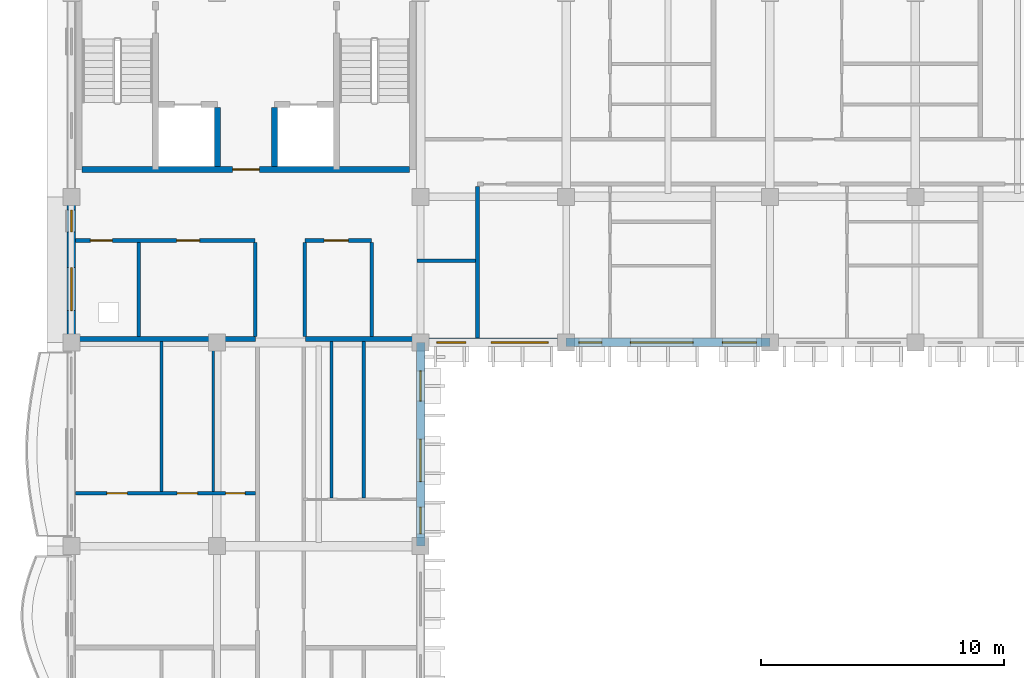
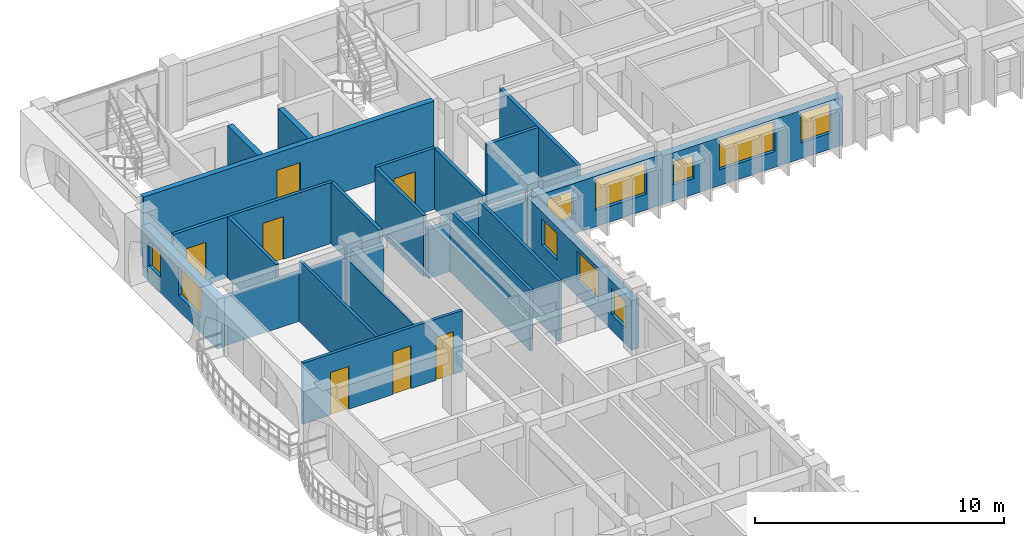
# One storey, part 23 of 70: 22 walls, 10 windows, 7 doors, 17 openings.
"""IFC4 building model written with IfcOpenShell, lengths in metres."""

import ifcopenshell
import ifcopenshell.guid

model = None  # the IFC model being written
_history = None  # IfcOwnerHistory: only IFC2X3 demands one
_inside = {}  # id of a spatial element -> (the spatial element, [elements in it])
_under = {}  # id of a project, library or spatial element -> (it, [spatial elements below it])
_declared = {}  # id of a project -> (the project, [libraries it declares])
_typed = {}  # id of a type object -> (the type object, [elements of that type])
_made_of = {}  # id of a material, layer set ... -> (it, [elements and type objects made of it])


def new_model(schema):
    """Start an empty IFC model of exactly this schema.

    Asked for "IFC4X3", IfcOpenShell would pick the latest addendum, in which some entities
    have other attributes; the version numbers below select the first issue.
    IFC2X3 requires an IfcOwnerHistory on every rooted entity: one is made here for all.
    """
    global model, _history
    if schema == "IFC4X3":
        model = ifcopenshell.file(schema_version=(4, 3, 0, 0))
    else:
        model = ifcopenshell.file(schema=schema)
    _inside.clear()
    _under.clear()
    _declared.clear()
    _typed.clear()
    _made_of.clear()
    _history = None
    if model.schema == "IFC2X3":
        org = make("IfcOrganization", Name="unknown")
        user = make(
            "IfcPersonAndOrganization",
            ThePerson=make("IfcPerson", FamilyName="unknown"),
            TheOrganization=org,
        )
        app = make(
            "IfcApplication",
            ApplicationDeveloper=org,
            Version="unknown",
            ApplicationFullName="unknown",
            ApplicationIdentifier="unknown",
        )
        _history = make(
            "IfcOwnerHistory",
            OwningUser=user,
            OwningApplication=app,
            ChangeAction="ADDED",
            CreationDate=0,
        )
    return model


def make(cls, **values):
    """One entity of the class cls with the attributes given. An attribute that is None is left unset."""
    return model.create_entity(
        cls, **{name: value for name, value in values.items() if value is not None}
    )


def rooted(cls, **values):
    """An entity with a GlobalId (a new one), such as an element, a storey or a relation."""
    return make(cls, GlobalId=ifcopenshell.guid.new(), OwnerHistory=_history, **values)


def si_unit(unit_type, name, prefix=None):
    """IfcSIUnit, for example si_unit("LENGTHUNIT", "METRE", prefix="MILLI")."""
    return make("IfcSIUnit", UnitType=unit_type, Prefix=prefix, Name=name)


def assignment(units):
    """IfcUnitAssignment: the units of a project."""
    return None if units is None else make("IfcUnitAssignment", Units=units)


def point(xyz):
    """IfcCartesianPoint."""
    return None if xyz is None else make("IfcCartesianPoint", Coordinates=xyz)


def direction(xyz):
    """IfcDirection."""
    return None if xyz is None else make("IfcDirection", DirectionRatios=xyz)


def frame(location, z_axis=None, x_axis=None):
    """IfcAxis2Placement3D, a coordinate frame: its origin and axes. An axis left out is left unset."""
    return make(
        "IfcAxis2Placement3D",
        Location=point(location),
        Axis=direction(z_axis),
        RefDirection=direction(x_axis),
    )


def frame_2d(location, x_axis=None):
    """IfcAxis2Placement2D, a coordinate frame in the plane: its origin and x axis."""
    return make(
        "IfcAxis2Placement2D", Location=point(location), RefDirection=direction(x_axis)
    )


def origin():
    """The frame at (0, 0, 0) with its axes left unset."""
    return frame((0.0, 0.0, 0.0))


def place(relative_to, where):
    """IfcLocalPlacement: puts the frame where relative to a parent placement (None: the world)."""
    return make(
        "IfcLocalPlacement", PlacementRelTo=relative_to, RelativePlacement=where
    )


def context(
    kind, dimensions, precision=None, world=None, true_north=None, identifier=None
):
    """IfcGeometricRepresentationContext, for example the 3D "Model" context."""
    return make(
        "IfcGeometricRepresentationContext",
        ContextIdentifier=identifier,
        ContextType=kind,
        CoordinateSpaceDimension=dimensions,
        Precision=precision,
        WorldCoordinateSystem=world,
        TrueNorth=true_north,
    )


def subcontext(parent, identifier, kind, view, scale=None):
    """IfcGeometricRepresentationSubContext, for example "Body" below "Model"."""
    return make(
        "IfcGeometricRepresentationSubContext",
        ContextIdentifier=identifier,
        ContextType=kind,
        ParentContext=parent,
        TargetScale=scale,
        TargetView=view,
    )


def project(units=None, contexts=None):
    """IfcProject with its units and contexts."""
    return rooted(
        "IfcProject",
        Name="project",
        RepresentationContexts=contexts,
        UnitsInContext=assignment(units),
    )


def spatial(cls, under=None, at=None, **own):
    """A site, building, storey or space (cls), placed at a placement, below another one or the project."""
    s = rooted(cls, ObjectPlacement=at, **own)
    if under is not None:
        _under.setdefault(under.id(), (under, []))[1].append(s)
    return s


def profile(cls, at=None, kind="AREA", **sizes):
    """A parametric profile (cls). Its sizes go by their IFC names, for example OverallWidth=200.0."""
    return make(cls, ProfileType=kind, Position=at, **sizes)


def rectangle(**sizes):
    """IfcRectangleProfileDef."""
    return profile("IfcRectangleProfileDef", **sizes)


def extrude(swept, where, along, depth):
    """IfcExtrudedAreaSolid: the profile swept, set in the frame where, extruded along a direction by depth."""
    return make(
        "IfcExtrudedAreaSolid",
        SweptArea=swept,
        Position=where,
        ExtrudedDirection=direction(along),
        Depth=depth,
    )


def shape(context_of_items, identifier, shape_type, items):
    """IfcShapeRepresentation: the items that make up one representation, for example the "Body"."""
    return make(
        "IfcShapeRepresentation",
        ContextOfItems=context_of_items,
        RepresentationIdentifier=identifier,
        RepresentationType=shape_type,
        Items=items,
    )


def material(Name=None, Category=None):
    """IfcMaterial."""
    return make("IfcMaterial", Name=Name, Category=Category)


def layer(
    of_material, thickness, ventilated=None, Name=None, Category=None, Priority=None
):
    """IfcMaterialLayer: one layer of a wall or slab, of a material (None: an air gap)."""
    return make(
        "IfcMaterialLayer",
        Material=of_material,
        LayerThickness=thickness,
        IsVentilated=ventilated,
        Name=Name,
        Category=Category,
        Priority=Priority,
    )


def layer_set(layers, Name=None):
    """IfcMaterialLayerSet."""
    return make("IfcMaterialLayerSet", MaterialLayers=layers, LayerSetName=Name)


def made_of(thing, what):
    """Note that an element or type object is made of a material, layer set ...; save() writes the relation."""
    if what is not None:
        _made_of.setdefault(what.id(), (what, []))[1].append(thing)
    return thing


def type_object(cls, material=None, **own):
    """A type object (cls), such as IfcWallType, which elements share."""
    return made_of(rooted(cls, **own), material)


def element(
    cls,
    number,
    at=None,
    inside=None,
    cuts=None,
    type_object=None,
    material=None,
    context=None,
    identifier="Body",
    shape_type=None,
    held_by="IfcProductDefinitionShape",
    body=None,
    shapes=None,
    **own,
):
    """One element of the class cls, such as IfcWall. Its Tag is "e" and its number.

    at: its placement. inside: the storey or other place that contains it. cuts: it is an
    opening in that element (IfcRelVoidsElement). A single representation is given by context,
    identifier, shape_type and body (its items); several are given by shapes. held_by: the class
    of the entity that holds the representations. save() writes the other relations.
    """
    e = rooted(cls, Tag="e%d" % number, ObjectPlacement=at, **own)
    if body is not None:
        shapes = [shape(context, identifier, shape_type, body)]
    if shapes is not None:
        e.Representation = make(held_by, Representations=shapes)
    if inside is not None:
        _inside.setdefault(inside.id(), (inside, []))[1].append(e)
    if cuts is not None:
        rooted(
            "IfcRelVoidsElement", RelatingBuildingElement=cuts, RelatedOpeningElement=e
        )
    if type_object is not None:
        _typed.setdefault(type_object.id(), (type_object, []))[1].append(e)
    return made_of(e, material)


def fill(opening, filler):
    """IfcRelFillsElement: the door or window that sits in an opening."""
    return rooted(
        "IfcRelFillsElement",
        RelatingOpeningElement=opening,
        RelatedBuildingElement=filler,
    )


def aggregate(whole, parts):
    """IfcRelAggregates: a whole, such as a stair, and the parts it consists of."""
    return rooted("IfcRelAggregates", RelatingObject=whole, RelatedObjects=parts)


def save(model, path):
    """Write the relations noted so far, then the file.

    IfcRelAggregates (storeys below a building ...), IfcRelContainedInSpatialStructure (elements
    in a storey), IfcRelDefinesByType, IfcRelAssociatesMaterial and IfcRelDeclares: one each for
    every whole, place, type object, material and project.
    """
    for whole, parts in _under.values():
        aggregate(whole, parts)
    for where, things in _inside.values():
        rooted(
            "IfcRelContainedInSpatialStructure",
            RelatedElements=things,
            RelatingStructure=where,
        )
    for kind, things in _typed.values():
        rooted("IfcRelDefinesByType", RelatedObjects=things, RelatingType=kind)
    for what, things in _made_of.values():
        rooted("IfcRelAssociatesMaterial", RelatedObjects=things, RelatingMaterial=what)
    for by, libraries in _declared.values():
        rooted("IfcRelDeclares", RelatingContext=by, RelatedDefinitions=libraries)
    model.write(path)


model = new_model("IFC4")

# Units and contexts
model_context = context("Model", 3, precision=1e-05, world=origin(), true_north=direction((0.0, 1.0)))
body_context = subcontext(model_context, "Body", "Model", "MODEL_VIEW")
ifc_project = project(units=[si_unit("LENGTHUNIT", "METRE"), si_unit("AREAUNIT", "SQUARE_METRE"), si_unit("VOLUMEUNIT", "CUBIC_METRE"), si_unit("PLANEANGLEUNIT", "RADIAN"), si_unit("MASSUNIT", "GRAM", prefix="KILO"), si_unit("THERMODYNAMICTEMPERATUREUNIT", "KELVIN")], contexts=[model_context])

# Site, building, storey
site_placement = place(None, origin())
site = spatial("IfcSite", under=ifc_project, at=site_placement, CompositionType="ELEMENT")
building_placement = place(site_placement, origin())
building = spatial("IfcBuilding", under=site, at=building_placement, Name="Thalorik Housing Commons", CompositionType="ELEMENT")
storey_placement = place(building_placement, frame((0.0, 0.0, 14.699951171875)))
storey = spatial("IfcBuildingStorey", under=building, at=storey_placement, Name="L04", CompositionType="ELEMENT", Elevation=14.699951171875)

# Walls
ifc_material_1 = material(Name="Concrete C40/50", Category="concrete")
ifc_layer_1 = layer(ifc_material_1, 0.25, Name="Concrete C40/50", Category="concrete")
ifc_layer_set_1 = layer_set([ifc_layer_1], Name="Concrete C40/50")
wall_type_1 = type_object("IfcWallType", Name="ARC-WAL-CORE-250", PredefinedType="SHEAR", material=ifc_layer_set_1)
for number, where, z_axis, x_axis, name in (
    (1, (14.425048828125, 118.875, 0.0), (0.0, 0.0, 1.0), (0.0, -1.0, 0.0), "L04 Lift 1 Cheek Wall"),
    (2, (16.77490234375, 118.875, 0.0), (0.0, 0.0, 1.0), (0.0, -1.0, 0.0), "L04 Lift 2 Cheek Wall"),
):
    element("IfcWall", number, at=place(storey_placement, frame(where, z_axis=z_axis, x_axis=x_axis)), inside=storey, type_object=wall_type_1, Name=name, PredefinedType="SHEAR", context=body_context, shape_type="SweptSolid", body=[
        extrude(rectangle(XDim=2.425048828125, YDim=0.25, at=frame_2d((1.21240234375, 0.0))), origin(), (0.0, 0.0, 1.0), 3.0),
    ])

# Wall, opening, door
wall_1_placement = place(storey_placement, frame((8.85009765625, 116.324951171875, 0.0), z_axis=(0.0, 0.0, 1.0), x_axis=(1.0, 0.0, 0.0)))
wall_1 = element("IfcWall", 3, at=wall_1_placement, inside=storey, type_object=wall_type_1, Name="L04 Core A Spine Shear Wall", PredefinedType="SHEAR", context=body_context, shape_type="SweptSolid", body=[
    extrude(rectangle(XDim=13.5, YDim=0.25, at=frame_2d((6.75, 0.0))), origin(), (0.0, 0.0, 1.0), 3.0),
])
opening_1_placement = place(wall_1_placement, frame((6.199951171875, 0.0, 0.0)))
opening_1 = element("IfcOpeningElement", 4, at=opening_1_placement, cuts=wall_1, Name="Opening ID-0045", PredefinedType="OPENING", context=body_context, shape_type="SweptSolid", body=[
    extrude(rectangle(XDim=1.10009765625, YDim=2.14990234375, at=frame_2d((0.550048828125, 1.074951171875))), frame((0.0, 0.135009765625, 0.0), z_axis=(0.0, -1.0, 0.0), x_axis=(1.0, 0.0, 0.0)), (0.0, 0.0, 1.0), 0.27001953125),
])
ifc_material_2 = material(Name="Steel S355", Category="steel")
door_type_1 = type_object("IfcDoorType", Name="ARC-DR-FD60-1100", OperationType="NOTDEFINED", PredefinedType="DOOR", material=ifc_material_2)
door_1_placement = place(opening_1_placement, origin())
door_1 = element("IfcDoor", 5, at=door_1_placement, inside=storey, type_object=door_type_1, Name="L04 Core A Lobby Fire Door", OperationType="SINGLE_SWING_RIGHT", OverallHeight=2.14990234375, OverallWidth=1.10009765625, PredefinedType="DOOR", context=body_context, shape_type="SweptSolid", body=[
    extrude(rectangle(XDim=1.10009765625, YDim=2.14990234375, at=frame_2d((0.550048828125, 1.074951171875))), frame((0.0, 0.02490234375, 0.0), z_axis=(0.0, -1.0, 0.0), x_axis=(1.0, 0.0, 0.0)), (0.0, 0.0, 1.0), 0.050048828125),
])
fill(opening_1, door_1)

# Walls
ifc_material_3 = material(Name="Masonry fire-rated corridor wall", Category="masonry")
ifc_layer_2 = layer(ifc_material_3, 0.14990234375, Name="Masonry fire-rated corridor wall", Category="masonry")
ifc_layer_set_2 = layer_set([ifc_layer_2], Name="Masonry fire-rated corridor wall")
wall_type_2 = type_object("IfcWallType", Name="ARC-WAL-CORR-150", PredefinedType="PARTITIONING", material=ifc_layer_set_2)
wall_2_placement = place(storey_placement, frame((22.659912109375, 112.570068359375, 0.0), z_axis=(0.0, 0.0, 1.0), x_axis=(1.0, 0.0, 0.0)))
element("IfcWall", 6, at=wall_2_placement, inside=storey, type_object=wall_type_2, Name="L04 Block A Vestibule South Wall", PredefinedType="PARTITIONING", context=body_context, shape_type="SweptSolid", body=[
    extrude(rectangle(XDim=2.405517578125, YDim=0.14990234375, at=frame_2d((1.20263671875, 0.0))), origin(), (0.0, 0.0, 1.0), 3.0),
])
ifc_layer_3 = layer(ifc_material_3, 0.1650390625, Name="Masonry fire-rated corridor wall", Category="masonry")
ifc_layer_set_3 = layer_set([ifc_layer_3], Name="Masonry fire-rated corridor wall")
wall_type_3 = type_object("IfcWallType", Name="ARC-WAL-CORR-165", PredefinedType="PARTITIONING", material=ifc_layer_set_3)
wall_3_placement = place(storey_placement, frame((25.14990234375, 109.376953125, 0.0), z_axis=(0.0, 0.0, 1.0), x_axis=(0.0, 1.0, 0.0)))
element("IfcWall", 7, at=wall_3_placement, inside=storey, type_object=wall_type_3, Name="L04 Block A Vestibule Cheek Wall", PredefinedType="PARTITIONING", context=body_context, shape_type="SweptSolid", body=[
    extrude(rectangle(XDim=6.258544921875, YDim=0.1650390625, at=frame_2d((3.12939453125, 0.0))), origin(), (0.0, 0.0, 1.0), 3.0),
])

# Wall, openings, windows
ifc_material_4 = material(Name="White precast concrete C40/50", Category="concrete")
ifc_layer_4 = layer(ifc_material_4, 0.35009765625, Name="White precast concrete C40/50", Category="concrete")
ifc_layer_set_4 = layer_set([ifc_layer_4], Name="White precast concrete C40/50")
wall_type_4 = type_object("IfcWallType", Name="ARC-WAL-EXT-350", PredefinedType="STANDARD", material=ifc_layer_set_4)
wall_4_placement = place(storey_placement, frame((22.800048828125, 109.199951171875, 0.0), z_axis=(0.0, 0.0, 1.0), x_axis=(1.0, 0.0, 0.0)))
wall_4 = element("IfcWall", 8, at=wall_4_placement, inside=storey, type_object=wall_type_4, Name="L04 Exterior Wall WAL-EXT-L04-A-0113", PredefinedType="STANDARD", context=body_context, shape_type="SweptSolid", body=[
    extrude(rectangle(XDim=6.0, YDim=0.35009765625, at=frame_2d((3.0, 0.0))), origin(), (0.0, 0.0, 1.0), 2.47509765625),
])
opening_2_placement = place(wall_4_placement, frame((0.669921875, 0.0, 0.780029296875)))
opening_2 = element("IfcOpeningElement", 9, at=opening_2_placement, cuts=wall_4, Name="Opening W-04", PredefinedType="OPENING", context=body_context, shape_type="SweptSolid", body=[
    extrude(rectangle(XDim=1.199951171875, YDim=1.35009765625, at=frame_2d((0.60009765625, 0.675048828125))), frame((0.0, 0.18505859375, 0.0), z_axis=(0.0, -1.0, 0.0), x_axis=(1.0, 0.0, 0.0)), (0.0, 0.0, 1.0), 0.3701171875),
])
opening_3_placement = place(wall_4_placement, frame((2.905029296875, 0.0, 0.780029296875)))
opening_3 = element("IfcOpeningElement", 10, at=opening_3_placement, cuts=wall_4, Name="Opening W-33", PredefinedType="OPENING", context=body_context, shape_type="SweptSolid", body=[
    extrude(rectangle(XDim=2.35009765625, YDim=1.550048828125, at=frame_2d((1.175048828125, 0.77490234375))), frame((0.0, 0.18505859375, 0.0), z_axis=(0.0, -1.0, 0.0), x_axis=(1.0, 0.0, 0.0)), (0.0, 0.0, 1.0), 0.3701171875),
])
ifc_material_5 = material(Name="Anodised aluminium and solar-control low-E glass", Category="aluminium")
window_type_1 = type_object("IfcWindowType", Name="ARC-WIN-04", PartitioningType="SINGLE_PANEL", PredefinedType="WINDOW", material=ifc_material_5)
window_1_placement = place(opening_2_placement, origin())
window_1 = element("IfcWindow", 11, at=window_1_placement, inside=storey, type_object=window_type_1, Name="L04 Facade Window 198", OverallHeight=1.35009765625, OverallWidth=1.199951171875, PartitioningType="SINGLE_PANEL", PredefinedType="WINDOW", context=body_context, shape_type="SweptSolid", body=[
    extrude(rectangle(XDim=1.199951171875, YDim=1.35009765625, at=frame_2d((0.60009765625, 0.675048828125))), frame((0.0, 0.030029296875, 0.0), z_axis=(0.0, -1.0, 0.0), x_axis=(1.0, 0.0, 0.0)), (0.0, 0.0, 1.0), 0.06005859375),
])
fill(opening_2, window_1)
window_type_2 = type_object("IfcWindowType", Name="ARC-WIN-33", PartitioningType="DOUBLE_PANEL_VERTICAL", PredefinedType="WINDOW", material=ifc_material_5)
window_2_placement = place(opening_3_placement, origin())
window_2 = element("IfcWindow", 12, at=window_2_placement, inside=storey, type_object=window_type_2, Name="L04 Facade Window 199", OverallHeight=1.550048828125, OverallWidth=2.35009765625, PartitioningType="DOUBLE_PANEL_VERTICAL", PredefinedType="WINDOW", context=body_context, shape_type="SweptSolid", body=[
    extrude(rectangle(XDim=2.35009765625, YDim=1.550048828125, at=frame_2d((1.175048828125, 0.77490234375))), frame((0.0, 0.030029296875, 0.0), z_axis=(0.0, -1.0, 0.0), x_axis=(1.0, 0.0, 0.0)), (0.0, 0.0, 1.0), 0.06005859375),
])
fill(opening_3, window_2)

wall_5_placement = place(storey_placement, frame((28.800048828125, 109.199951171875, 0.0), z_axis=(0.0, 0.0, 1.0), x_axis=(1.0, 0.0, 0.0)))
wall_5 = element("IfcWall", 13, at=wall_5_placement, inside=storey, type_object=wall_type_4, Name="L04 Exterior Wall WAL-EXT-L04-A-0114", PredefinedType="STANDARD", context=body_context, shape_type="SweptSolid", body=[
    extrude(rectangle(XDim=8.39990234375, YDim=0.35009765625, at=frame_2d((4.199951171875, 0.0))), origin(), (0.0, 0.0, 1.0), 2.375),
])
opening_4_placement = place(wall_5_placement, frame((0.52490234375, 0.0, 0.780029296875)))
opening_4 = element("IfcOpeningElement", 14, at=opening_4_placement, cuts=wall_5, Name="Opening W-43", PredefinedType="OPENING", context=body_context, shape_type="SweptSolid", body=[
    extrude(rectangle(XDim=0.949951171875, YDim=1.14990234375, at=frame_2d((0.47509765625, 0.574951171875))), frame((0.0, 0.18505859375, 0.0), z_axis=(0.0, -1.0, 0.0), x_axis=(1.0, 0.0, 0.0)), (0.0, 0.0, 1.0), 0.3701171875),
])
opening_5_placement = place(wall_5_placement, frame((2.64990234375, 0.0, 0.780029296875)))
opening_5 = element("IfcOpeningElement", 15, at=opening_5_placement, cuts=wall_5, Name="Opening W-73", PredefinedType="OPENING", context=body_context, shape_type="SweptSolid", body=[
    extrude(rectangle(XDim=2.580078125, YDim=1.47998046875, at=frame_2d((1.2900390625, 0.739990234375))), frame((0.0, 0.18505859375, 0.0), z_axis=(0.0, -1.0, 0.0), x_axis=(1.0, 0.0, 0.0)), (0.0, 0.0, 1.0), 0.3701171875),
])
opening_6_placement = place(wall_5_placement, frame((6.43994140625, 0.0, 0.780029296875)))
opening_6 = element("IfcOpeningElement", 16, at=opening_6_placement, cuts=wall_5, Name="Opening W-08", PredefinedType="OPENING", context=body_context, shape_type="SweptSolid", body=[
    extrude(rectangle(XDim=1.39990234375, YDim=1.449951171875, at=frame_2d((0.699951171875, 0.72509765625))), frame((0.0, 0.18505859375, 0.0), z_axis=(0.0, -1.0, 0.0), x_axis=(1.0, 0.0, 0.0)), (0.0, 0.0, 1.0), 0.3701171875),
])
window_type_3 = type_object("IfcWindowType", Name="ARC-WIN-08", PartitioningType="SINGLE_PANEL", PredefinedType="WINDOW", material=ifc_material_5)
window_3_placement = place(opening_6_placement, origin())
window_3 = element("IfcWindow", 17, at=window_3_placement, inside=storey, type_object=window_type_3, Name="L04 Facade Window 202", OverallHeight=1.449951171875, OverallWidth=1.39990234375, PartitioningType="SINGLE_PANEL", PredefinedType="WINDOW", context=body_context, shape_type="SweptSolid", body=[
    extrude(rectangle(XDim=1.39990234375, YDim=1.449951171875, at=frame_2d((0.699951171875, 0.72509765625))), frame((0.0, 0.030029296875, 0.0), z_axis=(0.0, -1.0, 0.0), x_axis=(1.0, 0.0, 0.0)), (0.0, 0.0, 1.0), 0.06005859375),
])
fill(opening_6, window_3)
window_type_4 = type_object("IfcWindowType", Name="ARC-WIN-43", PartitioningType="SINGLE_PANEL", PredefinedType="WINDOW", material=ifc_material_5)
window_4_placement = place(opening_4_placement, origin())
window_4 = element("IfcWindow", 18, at=window_4_placement, inside=storey, type_object=window_type_4, Name="L04 Facade Window 200", OverallHeight=1.14990234375, OverallWidth=0.949951171875, PartitioningType="SINGLE_PANEL", PredefinedType="WINDOW", context=body_context, shape_type="SweptSolid", body=[
    extrude(rectangle(XDim=0.949951171875, YDim=1.14990234375, at=frame_2d((0.47509765625, 0.574951171875))), frame((0.0, 0.030029296875, 0.0), z_axis=(0.0, -1.0, 0.0), x_axis=(1.0, 0.0, 0.0)), (0.0, 0.0, 1.0), 0.06005859375),
])
fill(opening_4, window_4)
window_type_5 = type_object("IfcWindowType", Name="ARC-WIN-73", PartitioningType="DOUBLE_PANEL_VERTICAL", PredefinedType="WINDOW", material=ifc_material_5)
window_5_placement = place(opening_5_placement, origin())
window_5 = element("IfcWindow", 19, at=window_5_placement, inside=storey, type_object=window_type_5, Name="L04 Facade Window 201", OverallHeight=1.47998046875, OverallWidth=2.580078125, PartitioningType="DOUBLE_PANEL_VERTICAL", PredefinedType="WINDOW", context=body_context, shape_type="SweptSolid", body=[
    extrude(rectangle(XDim=2.580078125, YDim=1.47998046875, at=frame_2d((1.2900390625, 0.739990234375))), frame((0.0, 0.030029296875, 0.0), z_axis=(0.0, -1.0, 0.0), x_axis=(1.0, 0.0, 0.0)), (0.0, 0.0, 1.0), 0.06005859375),
])
fill(opening_5, window_5)

wall_6_placement = place(storey_placement, frame((8.39990234375, 115.199951171875, 0.0), z_axis=(0.0, 0.0, 1.0), x_axis=(0.0, -1.0, 0.0)))
wall_6 = element("IfcWall", 20, at=wall_6_placement, inside=storey, type_object=wall_type_4, Name="L04 Exterior Wall WAL-EXT-L04-A-0128", PredefinedType="STANDARD", context=body_context, shape_type="SweptSolid", body=[
    extrude(rectangle(XDim=6.0, YDim=0.35009765625, at=frame_2d((3.0, 0.0))), origin(), (0.0, 0.0, 1.0), 2.445068359375),
])
opening_7_placement = place(wall_6_placement, frame((0.544921875, 0.0, 0.780029296875)))
opening_7 = element("IfcOpeningElement", 21, at=opening_7_placement, cuts=wall_6, Name="Opening W-01", PredefinedType="OPENING", context=body_context, shape_type="SweptSolid", body=[
    extrude(rectangle(XDim=0.89990234375, YDim=1.199951171875, at=frame_2d((0.449951171875, 0.60009765625))), frame((0.0, 0.18505859375, 0.0), z_axis=(0.0, -1.0, 0.0), x_axis=(1.0, 0.0, 0.0)), (0.0, 0.0, 1.0), 0.3701171875),
])
opening_8_placement = place(wall_6_placement, frame((2.9150390625, 0.0, 0.780029296875)))
opening_8 = element("IfcOpeningElement", 22, at=opening_8_placement, cuts=wall_6, Name="Opening W-57", PredefinedType="OPENING", context=body_context, shape_type="SweptSolid", body=[
    extrude(rectangle(XDim=1.780029296875, YDim=1.419921875, at=frame_2d((0.89013671875, 0.7099609375))), frame((0.0, 0.18505859375, 0.0), z_axis=(0.0, -1.0, 0.0), x_axis=(1.0, 0.0, 0.0)), (0.0, 0.0, 1.0), 0.3701171875),
])
window_type_6 = type_object("IfcWindowType", Name="ARC-WIN-01", PartitioningType="SINGLE_PANEL", PredefinedType="WINDOW", material=ifc_material_5)
window_6_placement = place(opening_7_placement, origin())
window_6 = element("IfcWindow", 23, at=window_6_placement, inside=storey, type_object=window_type_6, Name="L04 Facade Window 226", OverallHeight=1.199951171875, OverallWidth=0.89990234375, PartitioningType="SINGLE_PANEL", PredefinedType="WINDOW", context=body_context, shape_type="SweptSolid", body=[
    extrude(rectangle(XDim=0.89990234375, YDim=1.199951171875, at=frame_2d((0.449951171875, 0.60009765625))), frame((0.0, 0.030029296875, 0.0), z_axis=(0.0, -1.0, 0.0), x_axis=(1.0, 0.0, 0.0)), (0.0, 0.0, 1.0), 0.06005859375),
])
fill(opening_7, window_6)
window_type_7 = type_object("IfcWindowType", Name="ARC-WIN-57", PartitioningType="DOUBLE_PANEL_VERTICAL", PredefinedType="WINDOW", material=ifc_material_5)
window_7_placement = place(opening_8_placement, origin())
window_7 = element("IfcWindow", 24, at=window_7_placement, inside=storey, type_object=window_type_7, Name="L04 Facade Window 227", OverallHeight=1.419921875, OverallWidth=1.780029296875, PartitioningType="DOUBLE_PANEL_VERTICAL", PredefinedType="WINDOW", context=body_context, shape_type="SweptSolid", body=[
    extrude(rectangle(XDim=1.780029296875, YDim=1.419921875, at=frame_2d((0.89013671875, 0.7099609375))), frame((0.0, 0.030029296875, 0.0), z_axis=(0.0, -1.0, 0.0), x_axis=(1.0, 0.0, 0.0)), (0.0, 0.0, 1.0), 0.06005859375),
])
fill(opening_8, window_7)

wall_7_placement = place(storey_placement, frame((22.800048828125, 100.800048828125, 0.0), z_axis=(0.0, 0.0, 1.0), x_axis=(0.0, 1.0, 0.0)))
wall_7 = element("IfcWall", 25, at=wall_7_placement, inside=storey, type_object=wall_type_4, Name="L04 Exterior Wall WAL-EXT-L04-A-0140", PredefinedType="STANDARD", context=body_context, shape_type="SweptSolid", body=[
    extrude(rectangle(XDim=8.39990234375, YDim=0.35009765625, at=frame_2d((4.199951171875, 0.0))), origin(), (0.0, 0.0, 1.0), 2.425048828125),
])
opening_9_placement = place(wall_7_placement, frame((0.5078125, 0.0, 0.780029296875)))
opening_9 = element("IfcOpeningElement", 26, at=opening_9_placement, cuts=wall_7, Name="Opening W-03", PredefinedType="OPENING", context=body_context, shape_type="SweptSolid", body=[
    extrude(rectangle(XDim=1.10009765625, YDim=1.300048828125, at=frame_2d((0.550048828125, 0.64990234375))), frame((0.0, 0.18505859375, 0.0), z_axis=(0.0, -1.0, 0.0), x_axis=(1.0, 0.0, 0.0)), (0.0, 0.0, 1.0), 0.3701171875),
])
opening_10_placement = place(wall_7_placement, frame((2.65673828125, 0.0, 0.780029296875)))
opening_10 = element("IfcOpeningElement", 27, at=opening_10_placement, cuts=wall_7, Name="Opening W-17", PredefinedType="OPENING", context=body_context, shape_type="SweptSolid", body=[
    extrude(rectangle(XDim=1.75, YDim=1.449951171875, at=frame_2d((0.875, 0.72509765625))), frame((0.0, 0.18505859375, 0.0), z_axis=(0.0, -1.0, 0.0), x_axis=(1.0, 0.0, 0.0)), (0.0, 0.0, 1.0), 0.3701171875),
])
opening_11_placement = place(wall_7_placement, frame((5.97900390625, 0.0, 0.780029296875)))
opening_11 = element("IfcOpeningElement", 28, at=opening_11_placement, cuts=wall_7, Name="Opening W-46", PredefinedType="OPENING", context=body_context, shape_type="SweptSolid", body=[
    extrude(rectangle(XDim=1.25, YDim=1.300048828125, at=frame_2d((0.625, 0.64990234375))), frame((0.0, 0.18505859375, 0.0), z_axis=(0.0, -1.0, 0.0), x_axis=(1.0, 0.0, 0.0)), (0.0, 0.0, 1.0), 0.3701171875),
])
window_type_8 = type_object("IfcWindowType", Name="ARC-WIN-03", PartitioningType="SINGLE_PANEL", PredefinedType="WINDOW", material=ifc_material_5)
window_8_placement = place(opening_9_placement, origin())
window_8 = element("IfcWindow", 29, at=window_8_placement, inside=storey, type_object=window_type_8, Name="L04 Facade Window 252", OverallHeight=1.300048828125, OverallWidth=1.10009765625, PartitioningType="SINGLE_PANEL", PredefinedType="WINDOW", context=body_context, shape_type="SweptSolid", body=[
    extrude(rectangle(XDim=1.10009765625, YDim=1.300048828125, at=frame_2d((0.550048828125, 0.64990234375))), frame((0.0, 0.030029296875, 0.0), z_axis=(0.0, -1.0, 0.0), x_axis=(1.0, 0.0, 0.0)), (0.0, 0.0, 1.0), 0.06005859375),
])
fill(opening_9, window_8)
window_type_9 = type_object("IfcWindowType", Name="ARC-WIN-17", PartitioningType="DOUBLE_PANEL_VERTICAL", PredefinedType="WINDOW", material=ifc_material_5)
window_9_placement = place(opening_10_placement, origin())
window_9 = element("IfcWindow", 30, at=window_9_placement, inside=storey, type_object=window_type_9, Name="L04 Facade Window 253", OverallHeight=1.449951171875, OverallWidth=1.75, PartitioningType="DOUBLE_PANEL_VERTICAL", PredefinedType="WINDOW", context=body_context, shape_type="SweptSolid", body=[
    extrude(rectangle(XDim=1.75, YDim=1.449951171875, at=frame_2d((0.875, 0.72509765625))), frame((0.0, 0.030029296875, 0.0), z_axis=(0.0, -1.0, 0.0), x_axis=(1.0, 0.0, 0.0)), (0.0, 0.0, 1.0), 0.06005859375),
])
fill(opening_10, window_9)
window_type_10 = type_object("IfcWindowType", Name="ARC-WIN-46", PartitioningType="SINGLE_PANEL", PredefinedType="WINDOW", material=ifc_material_5)
window_10_placement = place(opening_11_placement, origin())
window_10 = element("IfcWindow", 31, at=window_10_placement, inside=storey, type_object=window_type_10, Name="L04 Facade Window 254", OverallHeight=1.300048828125, OverallWidth=1.25, PartitioningType="SINGLE_PANEL", PredefinedType="WINDOW", context=body_context, shape_type="SweptSolid", body=[
    extrude(rectangle(XDim=1.25, YDim=1.300048828125, at=frame_2d((0.625, 0.64990234375))), frame((0.0, 0.030029296875, 0.0), z_axis=(0.0, -1.0, 0.0), x_axis=(1.0, 0.0, 0.0)), (0.0, 0.0, 1.0), 0.06005859375),
])
fill(opening_11, window_10)

# Walls
ifc_material_6 = material(Name="Gypsum moisture-resistant partition", Category="masonry")
ifc_layer_5 = layer(ifc_material_6, 0.114990234375, Name="Gypsum moisture-resistant partition", Category="masonry")
ifc_layer_set_5 = layer_set([ifc_layer_5], Name="Gypsum moisture-resistant partition")
wall_type_5 = type_object("IfcWallType", Name="ARC-WAL-PART-115", PredefinedType="PARTITIONING", material=ifc_layer_set_5)
wall_8_placement = place(storey_placement, frame((14.251220703125, 103.052001953125, 0.0), z_axis=(0.0, 0.0, 1.0), x_axis=(0.0, 1.0, 0.0)))
element("IfcWall", 32, at=wall_8_placement, inside=storey, type_object=wall_type_5, Name="L04 Unit 3 Wet Wall", PredefinedType="PARTITIONING", context=body_context, shape_type="SweptSolid", body=[
    extrude(rectangle(XDim=6.18603515625, YDim=0.114990234375, at=frame_2d((3.093017578125, 0.0))), origin(), (0.0, 0.0, 1.0), 2.425048828125),
])
ifc_material_7 = material(Name="Gypsum acoustic stud partition", Category="masonry")
ifc_layer_6 = layer(ifc_material_7, 0.125, Name="Gypsum acoustic stud partition", Category="masonry")
ifc_layer_set_6 = layer_set([ifc_layer_6], Name="Gypsum acoustic stud partition")
wall_type_6 = type_object("IfcWallType", Name="ARC-WAL-PART-125", PredefinedType="PARTITIONING", material=ifc_layer_set_6)
wall_9_placement = place(storey_placement, frame((12.11767578125, 103.052001953125, 0.0), z_axis=(0.0, 0.0, 1.0), x_axis=(0.0, 1.0, 0.0)))
element("IfcWall", 33, at=wall_9_placement, inside=storey, type_object=wall_type_6, Name="L04 Unit 3 Bedroom Partition", PredefinedType="PARTITIONING", context=body_context, shape_type="SweptSolid", body=[
    extrude(rectangle(XDim=6.18603515625, YDim=0.125, at=frame_2d((3.093017578125, 0.0))), origin(), (0.0, 0.0, 1.0), 3.0),
])
wall_10_placement = place(storey_placement, frame((19.122314453125, 102.777587890625, 0.0), z_axis=(0.0, 0.0, 1.0), x_axis=(0.0, 1.0, 0.0)))
element("IfcWall", 34, at=wall_10_placement, inside=storey, type_object=wall_type_6, Name="L04 Unit 3B Wet Wall", PredefinedType="PARTITIONING", context=body_context, shape_type="SweptSolid", body=[
    extrude(rectangle(XDim=6.450439453125, YDim=0.125, at=frame_2d((3.22509765625, 0.0))), origin(), (0.0, 0.0, 1.0), 3.0),
])

# Wall, openings, doors
ifc_material_8 = material(Name="Ceramic masonry partition wall", Category="masonry")
ifc_layer_7 = layer(ifc_material_8, 0.139892578125, Name="Ceramic masonry partition wall", Category="masonry")
ifc_layer_set_7 = layer_set([ifc_layer_7], Name="Ceramic masonry partition wall")
wall_type_7 = type_object("IfcWallType", Name="ARC-WAL-PART-140", PredefinedType="PARTITIONING", material=ifc_layer_set_7)
wall_11_placement = place(storey_placement, frame((8.576904296875, 102.97998046875, 0.0), z_axis=(0.0, 0.0, 1.0), x_axis=(1.0, 0.0, 0.0)))
wall_11 = element("IfcWall", 35, at=wall_11_placement, inside=storey, type_object=wall_type_7, Name="L04 Unit 3 Spine Partition", PredefinedType="PARTITIONING", context=body_context, shape_type="SweptSolid", body=[
    extrude(rectangle(XDim=7.418701171875, YDim=0.139892578125, at=frame_2d((3.70947265625, 0.0))), origin(), (0.0, 0.0, 1.0), 3.0),
])
opening_12_placement = place(wall_11_placement, frame((1.286865234375, 0.0, 0.0)))
opening_12 = element("IfcOpeningElement", 36, at=opening_12_placement, cuts=wall_11, Name="Opening ID-0585", PredefinedType="OPENING", context=body_context, shape_type="SweptSolid", body=[
    extrude(rectangle(XDim=0.85009765625, YDim=2.10009765625, at=frame_2d((0.425048828125, 1.050048828125))), frame((0.0, 0.080078125, 0.0), z_axis=(0.0, -1.0, 0.0), x_axis=(1.0, 0.0, 0.0)), (0.0, 0.0, 1.0), 0.159912109375),
])
opening_13_placement = place(wall_11_placement, frame((4.182373046875, 0.0, 0.0)))
opening_13 = element("IfcOpeningElement", 37, at=opening_13_placement, cuts=wall_11, Name="Opening ID-0586", PredefinedType="OPENING", context=body_context, shape_type="SweptSolid", body=[
    extrude(rectangle(XDim=0.85009765625, YDim=2.10009765625, at=frame_2d((0.425048828125, 1.050048828125))), frame((0.0, 0.080078125, 0.0), z_axis=(0.0, -1.0, 0.0), x_axis=(1.0, 0.0, 0.0)), (0.0, 0.0, 1.0), 0.159912109375),
])
opening_14_placement = place(wall_11_placement, frame((6.188720703125, 0.0, 0.0)))
opening_14 = element("IfcOpeningElement", 38, at=opening_14_placement, cuts=wall_11, Name="Opening ID-0587", PredefinedType="OPENING", context=body_context, shape_type="SweptSolid", body=[
    extrude(rectangle(XDim=0.800048828125, YDim=2.10009765625, at=frame_2d((0.39990234375, 1.050048828125))), frame((0.0, 0.080078125, 0.0), z_axis=(0.0, -1.0, 0.0), x_axis=(1.0, 0.0, 0.0)), (0.0, 0.0, 1.0), 0.159912109375),
])
ifc_material_9 = material(Name="Moisture-resistant timber", Category="wood")
door_type_2 = type_object("IfcDoorType", Name="ARC-DR-INT-800", OperationType="NOTDEFINED", PredefinedType="DOOR", material=ifc_material_9)
door_2_placement = place(opening_14_placement, origin())
door_2 = element("IfcDoor", 39, at=door_2_placement, inside=storey, type_object=door_type_2, Name="L04 Accessible Bathroom Door", OperationType="SINGLE_SWING_RIGHT", OverallHeight=2.10009765625, OverallWidth=0.800048828125, PredefinedType="DOOR", context=body_context, shape_type="SweptSolid", body=[
    extrude(rectangle(XDim=0.800048828125, YDim=2.10009765625, at=frame_2d((0.39990234375, 1.050048828125))), frame((0.0, 0.02490234375, 0.0), z_axis=(0.0, -1.0, 0.0), x_axis=(1.0, 0.0, 0.0)), (0.0, 0.0, 1.0), 0.050048828125),
])
fill(opening_14, door_2)
ifc_material_10 = material(Name="Engineered oak timber", Category="wood")
door_type_3 = type_object("IfcDoorType", Name="ARC-DR-INT-850", OperationType="NOTDEFINED", PredefinedType="DOOR", material=ifc_material_10)
door_3_placement = place(opening_12_placement, origin())
door_3 = element("IfcDoor", 40, at=door_3_placement, inside=storey, type_object=door_type_3, Name="L04 Double Bedroom Door", OperationType="SINGLE_SWING_RIGHT", OverallHeight=2.10009765625, OverallWidth=0.85009765625, PredefinedType="DOOR", context=body_context, shape_type="SweptSolid", body=[
    extrude(rectangle(XDim=0.85009765625, YDim=2.10009765625, at=frame_2d((0.425048828125, 1.050048828125))), frame((0.0, 0.02490234375, 0.0), z_axis=(0.0, -1.0, 0.0), x_axis=(1.0, 0.0, 0.0)), (0.0, 0.0, 1.0), 0.050048828125),
])
fill(opening_12, door_3)
door_4_placement = place(opening_13_placement, origin())
door_4 = element("IfcDoor", 41, at=door_4_placement, inside=storey, type_object=door_type_3, Name="L04 Eat-In Kitchen Door", OperationType="SINGLE_SWING_LEFT", OverallHeight=2.10009765625, OverallWidth=0.85009765625, PredefinedType="DOOR", context=body_context, shape_type="SweptSolid", body=[
    extrude(rectangle(XDim=0.85009765625, YDim=2.10009765625, at=frame_2d((0.425048828125, 1.050048828125))), frame((0.0, 0.02490234375, 0.0), z_axis=(0.0, -1.0, 0.0), x_axis=(1.0, 0.0, 0.0)), (0.0, 0.0, 1.0), 0.050048828125),
])
fill(opening_13, door_4)

# Walls
wall_12_placement = place(storey_placement, frame((20.455078125, 102.777587890625, 0.0), z_axis=(0.0, 0.0, 1.0), x_axis=(0.0, 1.0, 0.0)))
element("IfcWall", 42, at=wall_12_placement, inside=storey, type_object=wall_type_7, Name="L04 Unit 3B Bedroom Partition", PredefinedType="PARTITIONING", context=body_context, shape_type="SweptSolid", body=[
    extrude(rectangle(XDim=6.450439453125, YDim=0.139892578125, at=frame_2d((3.22509765625, 0.0))), origin(), (0.0, 0.0, 1.0), 3.0),
])
ifc_layer_8 = layer(ifc_material_8, 0.14794921875, Name="Ceramic masonry partition wall", Category="masonry")
ifc_layer_set_8 = layer_set([ifc_layer_8], Name="Ceramic masonry partition wall")
wall_type_8 = type_object("IfcWallType", Name="ARC-WAL-PART-150", PredefinedType="PARTITIONING", material=ifc_layer_set_8)
for number, where, z_axis, x_axis, name in (
    (43, (11.175048828125, 113.323974609375, 0.0), (0.0, 0.0, 1.0), (0.0, -1.0, 0.0), "Riser Wall"),
    (44, (15.97509765625, 113.323974609375, 0.0), (0.0, 0.0, 1.0), (0.0, -1.0, 0.0), "Core Stem West Cheek Wall"),
):
    element("IfcWall", number, at=place(storey_placement, frame(where, z_axis=z_axis, x_axis=x_axis)), inside=storey, type_object=wall_type_8, Name=name, PredefinedType="PARTITIONING", context=body_context, shape_type="SweptSolid", body=[
        extrude(rectangle(XDim=3.882080078125, YDim=0.14794921875, at=frame_2d((1.94091796875, 0.0))), origin(), (0.0, 0.0, 1.0), 3.0),
    ])
for number, where, z_axis, x_axis, name in (
    (45, (18.02490234375, 113.323974609375, 0.0), (0.0, 0.0, 1.0), (0.0, -1.0, 0.0), "Core Stem East Cheek Wall"),
    (46, (20.780029296875, 113.323974609375, 0.0), (0.0, 0.0, 1.0), (0.0, -1.0, 0.0), "Core East Enclosing Wall"),
):
    element("IfcWall", number, at=place(storey_placement, frame(where, z_axis=z_axis, x_axis=x_axis)), inside=storey, type_object=wall_type_8, Name=name, PredefinedType="PARTITIONING", context=body_context, shape_type="SweptSolid", body=[
        extrude(rectangle(XDim=3.8720703125, YDim=0.14794921875, at=frame_2d((1.93603515625, 0.0))), origin(), (0.0, 0.0, 1.0), 3.0),
    ])

# Wall, openings, doors
wall_13_placement = place(storey_placement, frame((8.576904296875, 113.39990234375, 0.0), z_axis=(0.0, 0.0, 1.0), x_axis=(1.0, 0.0, 0.0)))
wall_13 = element("IfcWall", 47, at=wall_13_placement, inside=storey, type_object=wall_type_8, Name="L04 Core A West Corridor Partition", PredefinedType="PARTITIONING", context=body_context, shape_type="SweptSolid", body=[
    extrude(rectangle(XDim=7.398193359375, YDim=0.14794921875, at=frame_2d((3.69921875, 0.0))), origin(), (0.0, 0.0, 1.0), 3.0),
])
opening_15_placement = place(wall_13_placement, frame((0.613037109375, 0.0, 0.0)))
opening_15 = element("IfcOpeningElement", 48, at=opening_15_placement, cuts=wall_13, Name="Opening ID-0046", PredefinedType="OPENING", context=body_context, shape_type="SweptSolid", body=[
    extrude(rectangle(XDim=0.89990234375, YDim=2.10009765625, at=frame_2d((0.449951171875, 1.050048828125))), frame((0.0, 0.083984375, 0.0), z_axis=(0.0, -1.0, 0.0), x_axis=(1.0, 0.0, 0.0)), (0.0, 0.0, 1.0), 0.16796875),
])
opening_16_placement = place(wall_13_placement, frame((4.1630859375, 0.0, 0.0)))
opening_16 = element("IfcOpeningElement", 49, at=opening_16_placement, cuts=wall_13, Name="Opening ID-0047", PredefinedType="OPENING", context=body_context, shape_type="SweptSolid", body=[
    extrude(rectangle(XDim=0.949951171875, YDim=2.10009765625, at=frame_2d((0.47509765625, 1.050048828125))), frame((0.0, 0.083984375, 0.0), z_axis=(0.0, -1.0, 0.0), x_axis=(1.0, 0.0, 0.0)), (0.0, 0.0, 1.0), 0.16796875),
])
door_type_4 = type_object("IfcDoorType", Name="ARC-DR-FD60-900", OperationType="NOTDEFINED", PredefinedType="DOOR", material=ifc_material_2)
door_5_placement = place(opening_15_placement, origin())
door_5 = element("IfcDoor", 50, at=door_5_placement, inside=storey, type_object=door_type_4, Name="Electrical Riser Door", OperationType="SINGLE_SWING_LEFT", OverallHeight=2.10009765625, OverallWidth=0.89990234375, PredefinedType="DOOR", context=body_context, shape_type="SweptSolid", body=[
    extrude(rectangle(XDim=0.89990234375, YDim=2.10009765625, at=frame_2d((0.449951171875, 1.050048828125))), frame((0.0, 0.02490234375, 0.0), z_axis=(0.0, -1.0, 0.0), x_axis=(1.0, 0.0, 0.0)), (0.0, 0.0, 1.0), 0.050048828125),
])
fill(opening_15, door_5)
door_type_5 = type_object("IfcDoorType", Name="ARC-DR-INT-950", OperationType="NOTDEFINED", PredefinedType="DOOR", material=ifc_material_10)
door_6_placement = place(opening_16_placement, origin())
door_6 = element("IfcDoor", 51, at=door_6_placement, inside=storey, type_object=door_type_5, Name="Accessible Bathroom Door", OperationType="SINGLE_SWING_RIGHT", OverallHeight=2.10009765625, OverallWidth=0.949951171875, PredefinedType="DOOR", context=body_context, shape_type="SweptSolid", body=[
    extrude(rectangle(XDim=0.949951171875, YDim=2.10009765625, at=frame_2d((0.47509765625, 1.050048828125))), frame((0.0, 0.02490234375, 0.0), z_axis=(0.0, -1.0, 0.0), x_axis=(1.0, 0.0, 0.0)), (0.0, 0.0, 1.0), 0.050048828125),
])
fill(opening_16, door_6)

# Wall, opening, door
wall_14_placement = place(storey_placement, frame((18.02490234375, 113.39990234375, 0.0), z_axis=(0.0, 0.0, 1.0), x_axis=(1.0, 0.0, 0.0)))
wall_14 = element("IfcWall", 52, at=wall_14_placement, inside=storey, type_object=wall_type_8, Name="L04 Core A East Corridor Partition", PredefinedType="PARTITIONING", context=body_context, shape_type="SweptSolid", body=[
    extrude(rectangle(XDim=2.755126953125, YDim=0.14794921875, at=frame_2d((1.37744140625, 0.0))), origin(), (0.0, 0.0, 1.0), 3.0),
])
opening_17_placement = place(wall_14_placement, frame((0.800048828125, 0.0, 0.0)))
opening_17 = element("IfcOpeningElement", 53, at=opening_17_placement, cuts=wall_14, Name="Opening ID-0048", PredefinedType="OPENING", context=body_context, shape_type="SweptSolid", body=[
    extrude(rectangle(XDim=1.0, YDim=2.14990234375, at=frame_2d((0.5, 1.074951171875))), frame((0.0, 0.083984375, 0.0), z_axis=(0.0, -1.0, 0.0), x_axis=(1.0, 0.0, 0.0)), (0.0, 0.0, 1.0), 0.16796875),
])
door_type_6 = type_object("IfcDoorType", Name="ARC-DR-FD60-1000", OperationType="NOTDEFINED", PredefinedType="DOOR", material=ifc_material_2)
door_7_placement = place(opening_17_placement, origin())
door_7 = element("IfcDoor", 54, at=door_7_placement, inside=storey, type_object=door_type_6, Name="Core Hub Room Door", OperationType="SINGLE_SWING_LEFT", OverallHeight=2.14990234375, OverallWidth=1.0, PredefinedType="DOOR", context=body_context, shape_type="SweptSolid", body=[
    extrude(rectangle(XDim=1.0, YDim=2.14990234375, at=frame_2d((0.5, 1.074951171875))), frame((0.0, 0.02490234375, 0.0), z_axis=(0.0, -1.0, 0.0), x_axis=(1.0, 0.0, 0.0)), (0.0, 0.0, 1.0), 0.050048828125),
])
fill(opening_17, door_7)

# Walls
ifc_material_11 = material(Name="Precast concrete C40/50 acoustic wall", Category="concrete")
ifc_layer_9 = layer(ifc_material_11, 0.199951171875, Name="Precast concrete C40/50 acoustic wall", Category="concrete")
ifc_layer_set_9 = layer_set([ifc_layer_9], Name="Precast concrete C40/50 acoustic wall")
wall_type_9 = type_object("IfcWallType", Name="ARC-WAL-PARTY-200", PredefinedType="PARTITIONING", material=ifc_layer_set_9)
wall_15_placement = place(storey_placement, frame((8.576904296875, 109.340087890625, 0.0), z_axis=(0.0, 0.0, 1.0), x_axis=(1.0, 0.0, 0.0)))
element("IfcWall", 55, at=wall_15_placement, inside=storey, type_object=wall_type_9, Name="L04 Core End Wall A", PredefinedType="PARTITIONING", context=body_context, shape_type="SweptSolid", body=[
    extrude(rectangle(XDim=7.418701171875, YDim=0.199951171875, at=frame_2d((3.70947265625, 0.0))), origin(), (0.0, 0.0, 1.0), 2.375),
])
ifc_layer_10 = layer(ifc_material_11, 0.219970703125, Name="Precast concrete C40/50 acoustic wall", Category="concrete")
ifc_layer_set_10 = layer_set([ifc_layer_10], Name="Precast concrete C40/50 acoustic wall")
wall_type_10 = type_object("IfcWallType", Name="ARC-WAL-PARTY-220", PredefinedType="PARTITIONING", material=ifc_layer_set_10)
wall_16_placement = place(storey_placement, frame((18.056884765625, 109.340087890625, 0.0), z_axis=(0.0, 0.0, 1.0), x_axis=(1.0, 0.0, 0.0)))
element("IfcWall", 56, at=wall_16_placement, inside=storey, type_object=wall_type_10, Name="L04 Core End Wall B", PredefinedType="PARTITIONING", context=body_context, shape_type="SweptSolid", body=[
    extrude(rectangle(XDim=4.68310546875, YDim=0.219970703125, at=frame_2d((2.341552734375, 0.0))), origin(), (0.0, 0.0, 1.0), 2.375),
])

save(model, "model.ifc")
